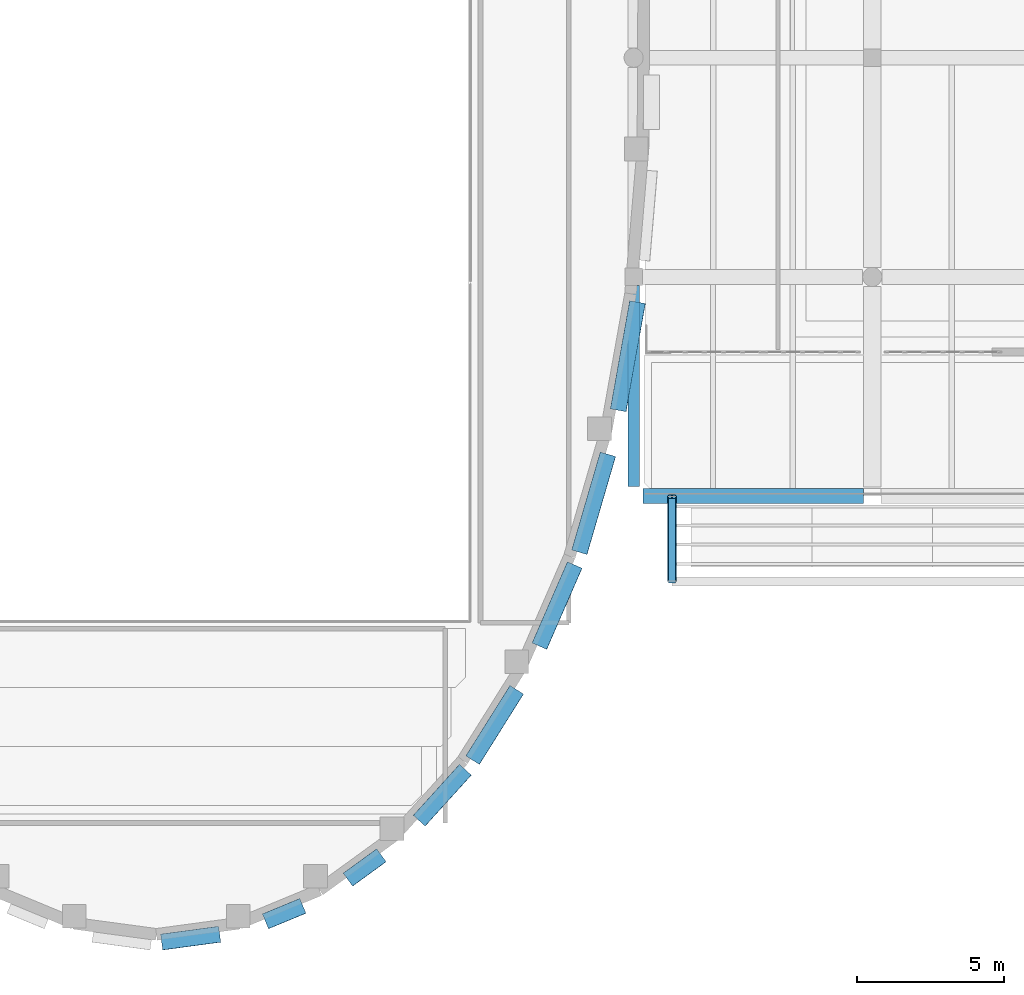
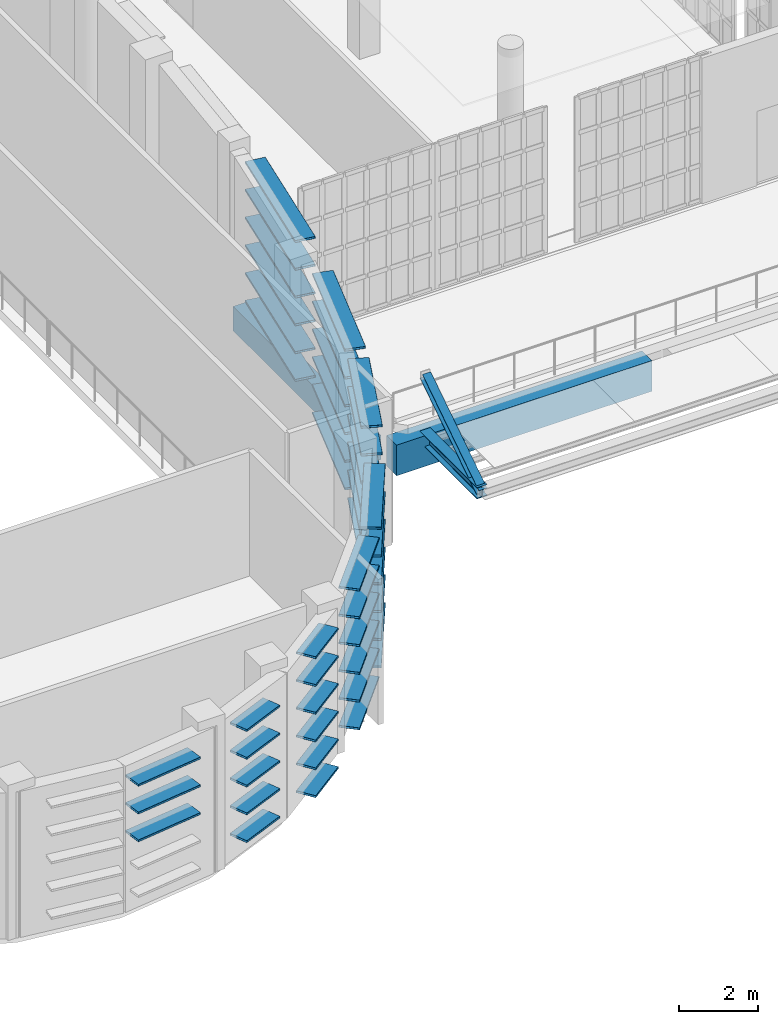
# One storey, part 10 of 104: 45 members, 3 beams.
"""IFC4 building model written with IfcOpenShell, lengths in metres."""

from ifc_helpers import new_model, si_unit, direction, frame, origin, origin_2d, place, context, subcontext, project, spatial, rectangle, hollow_rectangle, i_section, extrude, material, material_profile, profile_set, type_object, element, save


model = new_model("IFC4")

# Units and contexts
model_context = context("Model", 3, precision=1e-05, world=origin(), true_north=direction((0.0, 1.0)))
body_context = subcontext(model_context, "Body", "Model", "MODEL_VIEW")
ifc_project = project(units=[si_unit("LENGTHUNIT", "METRE"), si_unit("AREAUNIT", "SQUARE_METRE"), si_unit("VOLUMEUNIT", "CUBIC_METRE"), si_unit("PLANEANGLEUNIT", "RADIAN"), si_unit("MASSUNIT", "GRAM", prefix="KILO")], contexts=[model_context])

# Site, building, storey
site_placement = place(None, origin())
site = spatial("IfcSite", under=ifc_project, at=site_placement, CompositionType="ELEMENT")
building_placement = place(site_placement, origin())
building = spatial("IfcBuilding", under=site, at=building_placement, Name="Kaelora Sail Theatre", CompositionType="ELEMENT")
storey_placement = place(building_placement, frame((0.0, 0.0, 5.39990234375)))
storey = spatial("IfcBuildingStorey", under=building, at=storey_placement, Name="L01", CompositionType="ELEMENT", Elevation=5.39990234375)

# Members
ifc_material_1 = material(Name="Anodised aluminium 6063-T6", Category="aluminium")
ifc_material_profile_1 = material_profile(ifc_material_1, hollow_rectangle(XDim=0.550048828125, YDim=0.06494140625, WallThickness=0.00390625, InnerFilletRadius=0.00390625, OuterFilletRadius=0.008056640625, at=origin_2d()), Name="LOUVRE 550x65x4")
ifc_profile_set_1 = profile_set([ifc_material_profile_1], Name="Anodised aluminium 6063-T6")
member_type_1 = type_object("IfcMemberType", Name="ARC-MEM-LVR-300", PredefinedType="USERDEFINED", material=ifc_profile_set_1)
for number, where, z_axis, x_axis, name in (
    (1, (58.33056640625, 45.284423828125, 0.150146484375), (-0.175566335005, -0.984467603333, 0.0), (0.984467603333, -0.175566335005, 0.0), "Main Theatre Sail Drum horizontal solar louvre C4-06"),
    (2, (58.33056640625, 45.284423828125, 1.010009765625), (-0.175566335005, -0.984467603333, 0.0), (0.984467603333, -0.175566335005, 0.0), "Main Theatre Sail Drum horizontal solar louvre C4-07"),
    (3, (58.33056640625, 45.284423828125, 1.8701171875), (-0.175566335005, -0.984467603333, 0.0), (0.984467603333, -0.175566335005, 0.0), "Main Theatre Sail Drum horizontal solar louvre C4-08"),
    (4, (58.33056640625, 45.284423828125, 2.72998046875), (-0.175566335005, -0.984467603333, 0.0), (0.984467603333, -0.175566335005, 0.0), "Main Theatre Sail Drum horizontal solar louvre C4-09"),
    (5, (58.33056640625, 45.284423828125, 3.590087890625), (-0.175566335005, -0.984467603333, 0.0), (0.984467603333, -0.175566335005, 0.0), "Main Theatre Sail Drum horizontal solar louvre C4-10"),
    (6, (58.33056640625, 45.284423828125, 4.4501953125), (-0.175566335005, -0.984467603333, 0.0), (0.984467603333, -0.175566335005, 0.0), "Main Theatre Sail Drum horizontal solar louvre C4-11"),
):
    element("IfcMember", number, at=place(storey_placement, frame(where, z_axis=z_axis, x_axis=x_axis)), inside=storey, type_object=member_type_1, Name=name, ObjectType="LOUVRE", PredefinedType="USERDEFINED", context=body_context, shape_type="SweptSolid", body=[
        extrude(hollow_rectangle(XDim=0.550048828125, YDim=0.06494140625, WallThickness=0.00390625, InnerFilletRadius=0.00390625, OuterFilletRadius=0.008056640625, at=origin_2d()), origin(), (0.0, 0.0, 1.0), 3.7294921875),
    ])
for number, where, z_axis, x_axis, name in (
    (7, (57.326904296875, 40.119384765625, 0.150146484375), (-0.280281368484, -0.959917889447, 0.0), (0.959917889447, -0.280281368484, 0.0), "Main Theatre Sail Drum horizontal solar louvre C5-06"),
    (8, (57.326904296875, 40.119384765625, 1.010009765625), (-0.280281368484, -0.959917889447, 0.0), (0.959917889447, -0.280281368484, 0.0), "Main Theatre Sail Drum horizontal solar louvre C5-07"),
    (9, (57.326904296875, 40.119384765625, 1.8701171875), (-0.280281368484, -0.959917889447, 0.0), (0.959917889447, -0.280281368484, 0.0), "Main Theatre Sail Drum horizontal solar louvre C5-08"),
    (10, (57.326904296875, 40.119384765625, 2.72998046875), (-0.280281368484, -0.959917889447, 0.0), (0.959917889447, -0.280281368484, 0.0), "Main Theatre Sail Drum horizontal solar louvre C5-09"),
    (11, (57.326904296875, 40.119384765625, 3.590087890625), (-0.280281368484, -0.959917889447, 0.0), (0.959917889447, -0.280281368484, 0.0), "Main Theatre Sail Drum horizontal solar louvre C5-10"),
    (12, (57.326904296875, 40.119384765625, 4.4501953125), (-0.280281368484, -0.959917889447, 0.0), (0.959917889447, -0.280281368484, 0.0), "Main Theatre Sail Drum horizontal solar louvre C5-11"),
):
    element("IfcMember", number, at=place(storey_placement, frame(where, z_axis=z_axis, x_axis=x_axis)), inside=storey, type_object=member_type_1, Name=name, ObjectType="LOUVRE", PredefinedType="USERDEFINED", context=body_context, shape_type="SweptSolid", body=[
        extrude(hollow_rectangle(XDim=0.550048828125, YDim=0.06494140625, WallThickness=0.00390625, InnerFilletRadius=0.00390625, OuterFilletRadius=0.008056640625, at=origin_2d()), origin(), (0.0, 0.0, 1.0), 3.465087890625),
    ])
for number, where, z_axis, x_axis, name in (
    (13, (56.19970703125, 36.35986328125, 0.150146484375), (-0.399228207285, -0.91685159023, 0.0), (0.91685159023, -0.399228207285, 0.0), "Main Theatre Sail Drum horizontal solar louvre C6-06"),
    (14, (56.19970703125, 36.35986328125, 1.010009765625), (-0.399228207285, -0.91685159023, 0.0), (0.91685159023, -0.399228207285, 0.0), "Main Theatre Sail Drum horizontal solar louvre C6-07"),
    (15, (56.19970703125, 36.35986328125, 1.8701171875), (-0.399228207285, -0.91685159023, 0.0), (0.91685159023, -0.399228207285, 0.0), "Main Theatre Sail Drum horizontal solar louvre C6-08"),
    (16, (56.19970703125, 36.35986328125, 2.72998046875), (-0.399228207285, -0.91685159023, 0.0), (0.91685159023, -0.399228207285, 0.0), "Main Theatre Sail Drum horizontal solar louvre C6-09"),
    (17, (56.19970703125, 36.35986328125, 3.590087890625), (-0.399228207285, -0.91685159023, 0.0), (0.91685159023, -0.399228207285, 0.0), "Main Theatre Sail Drum horizontal solar louvre C6-10"),
    (18, (56.19970703125, 36.35986328125, 4.4501953125), (-0.399228207285, -0.91685159023, 0.0), (0.91685159023, -0.399228207285, 0.0), "Main Theatre Sail Drum horizontal solar louvre C6-11"),
):
    element("IfcMember", number, at=place(storey_placement, frame(where, z_axis=z_axis, x_axis=x_axis)), inside=storey, type_object=member_type_1, Name=name, ObjectType="LOUVRE", PredefinedType="USERDEFINED", context=body_context, shape_type="SweptSolid", body=[
        extrude(hollow_rectangle(XDim=0.550048828125, YDim=0.06494140625, WallThickness=0.00390625, InnerFilletRadius=0.00390625, OuterFilletRadius=0.008056640625, at=origin_2d()), origin(), (0.0, 0.0, 1.0), 3.00439453125),
    ])
for number, where, z_axis, x_axis, name in (
    (19, (54.230712890625, 32.12451171875, 0.150146484375), (-0.531266918629, -0.847204497846, 0.0), (0.847204497846, -0.531266918629, 0.0), "Main Theatre Sail Drum horizontal solar louvre C7-06"),
    (20, (54.230712890625, 32.12451171875, 1.010009765625), (-0.531266918629, -0.847204497846, 0.0), (0.847204497846, -0.531266918629, 0.0), "Main Theatre Sail Drum horizontal solar louvre C7-07"),
    (21, (54.230712890625, 32.12451171875, 1.8701171875), (-0.531266918629, -0.847204497846, 0.0), (0.847204497846, -0.531266918629, 0.0), "Main Theatre Sail Drum horizontal solar louvre C7-08"),
    (22, (54.230712890625, 32.12451171875, 2.72998046875), (-0.531266918629, -0.847204497846, 0.0), (0.847204497846, -0.531266918629, 0.0), "Main Theatre Sail Drum horizontal solar louvre C7-09"),
    (23, (54.230712890625, 32.12451171875, 3.590087890625), (-0.531266918629, -0.847204497846, 0.0), (0.847204497846, -0.531266918629, 0.0), "Main Theatre Sail Drum horizontal solar louvre C7-10"),
    (24, (54.230712890625, 32.12451171875, 4.4501953125), (-0.531266918629, -0.847204497846, 0.0), (0.847204497846, -0.531266918629, 0.0), "Main Theatre Sail Drum horizontal solar louvre C7-11"),
):
    element("IfcMember", number, at=place(storey_placement, frame(where, z_axis=z_axis, x_axis=x_axis)), inside=storey, type_object=member_type_1, Name=name, ObjectType="LOUVRE", PredefinedType="USERDEFINED", context=body_context, shape_type="SweptSolid", body=[
        extrude(hollow_rectangle(XDim=0.550048828125, YDim=0.06494140625, WallThickness=0.00390625, InnerFilletRadius=0.00390625, OuterFilletRadius=0.008056640625, at=origin_2d()), origin(), (0.0, 0.0, 1.0), 2.81982421875),
    ])
for number, where, z_axis, x_axis, name in (
    (25, (52.48779296875, 29.41015625, 0.150146484375), (-0.671589400994, -0.740923529437, 0.0), (0.740923529437, -0.671589400994, 0.0), "Main Theatre Sail Drum horizontal solar louvre C8-06"),
    (26, (52.48779296875, 29.41015625, 1.010009765625), (-0.671589400994, -0.740923529437, 0.0), (0.740923529437, -0.671589400994, 0.0), "Main Theatre Sail Drum horizontal solar louvre C8-07"),
    (27, (52.48779296875, 29.41015625, 1.8701171875), (-0.671589400994, -0.740923529437, 0.0), (0.740923529437, -0.671589400994, 0.0), "Main Theatre Sail Drum horizontal solar louvre C8-08"),
    (28, (52.48779296875, 29.41015625, 2.72998046875), (-0.671589400994, -0.740923529437, 0.0), (0.740923529437, -0.671589400994, 0.0), "Main Theatre Sail Drum horizontal solar louvre C8-09"),
    (29, (52.48779296875, 29.41015625, 3.590087890625), (-0.671589400994, -0.740923529437, 0.0), (0.740923529437, -0.671589400994, 0.0), "Main Theatre Sail Drum horizontal solar louvre C8-10"),
    (30, (52.48779296875, 29.41015625, 4.4501953125), (-0.671589400994, -0.740923529437, 0.0), (0.740923529437, -0.671589400994, 0.0), "Main Theatre Sail Drum horizontal solar louvre C8-11"),
):
    element("IfcMember", number, at=place(storey_placement, frame(where, z_axis=z_axis, x_axis=x_axis)), inside=storey, type_object=member_type_1, Name=name, ObjectType="LOUVRE", PredefinedType="USERDEFINED", context=body_context, shape_type="SweptSolid", body=[
        extrude(hollow_rectangle(XDim=0.550048828125, YDim=0.06494140625, WallThickness=0.00390625, InnerFilletRadius=0.00390625, OuterFilletRadius=0.008056640625, at=origin_2d()), origin(), (0.0, 0.0, 1.0), 2.33447265625),
    ])
for number, where, z_axis, x_axis, name in (
    (31, (49.636962890625, 26.50634765625, 0.150146484375), (-0.808991251883, -0.587820682162, 0.0), (0.587820682162, -0.808991251883, 0.0), "Main Theatre Sail Drum horizontal solar louvre C9-06"),
    (32, (49.636962890625, 26.50634765625, 1.010009765625), (-0.808991251883, -0.587820682162, 0.0), (0.587820682162, -0.808991251883, 0.0), "Main Theatre Sail Drum horizontal solar louvre C9-07"),
    (33, (49.636962890625, 26.50634765625, 1.8701171875), (-0.808991251883, -0.587820682162, 0.0), (0.587820682162, -0.808991251883, 0.0), "Main Theatre Sail Drum horizontal solar louvre C9-08"),
    (34, (49.636962890625, 26.50634765625, 2.72998046875), (-0.808991251883, -0.587820682162, 0.0), (0.587820682162, -0.808991251883, 0.0), "Main Theatre Sail Drum horizontal solar louvre C9-09"),
    (35, (49.636962890625, 26.50634765625, 3.590087890625), (-0.808991251883, -0.587820682162, 0.0), (0.587820682162, -0.808991251883, 0.0), "Main Theatre Sail Drum horizontal solar louvre C9-10"),
    (36, (49.636962890625, 26.50634765625, 4.4501953125), (-0.808991251883, -0.587820682162, 0.0), (0.587820682162, -0.808991251883, 0.0), "Main Theatre Sail Drum horizontal solar louvre C9-11"),
):
    element("IfcMember", number, at=place(storey_placement, frame(where, z_axis=z_axis, x_axis=x_axis)), inside=storey, type_object=member_type_1, Name=name, ObjectType="LOUVRE", PredefinedType="USERDEFINED", context=body_context, shape_type="SweptSolid", body=[
        extrude(hollow_rectangle(XDim=0.550048828125, YDim=0.06494140625, WallThickness=0.00390625, InnerFilletRadius=0.00390625, OuterFilletRadius=0.008056640625, at=origin_2d()), origin(), (0.0, 0.0, 1.0), 1.40625),
    ])
for number, where, z_axis, x_axis, name in (
    (37, (46.971435546875, 24.78955078125, 0.630126953125), (-0.923925927829, -0.382571404949, 0.0), (0.382571404949, -0.923925927829, 0.0), "Main Theatre Sail Drum horizontal solar louvre C10-04"),
    (38, (46.971435546875, 24.78955078125, 1.489990234375), (-0.923925927829, -0.382571404949, 0.0), (0.382571404949, -0.923925927829, 0.0), "Main Theatre Sail Drum horizontal solar louvre C10-05"),
    (39, (46.971435546875, 24.78955078125, 2.35009765625), (-0.923925927829, -0.382571404949, 0.0), (0.382571404949, -0.923925927829, 0.0), "Main Theatre Sail Drum horizontal solar louvre C10-06"),
    (40, (46.971435546875, 24.78955078125, 3.210205078125), (-0.923925927829, -0.382571404949, 0.0), (0.382571404949, -0.923925927829, 0.0), "Main Theatre Sail Drum horizontal solar louvre C10-07"),
    (41, (46.971435546875, 24.78955078125, 4.070068359375), (-0.923925927829, -0.382571404949, 0.0), (0.382571404949, -0.923925927829, 0.0), "Main Theatre Sail Drum horizontal solar louvre C10-08"),
):
    element("IfcMember", number, at=place(storey_placement, frame(where, z_axis=z_axis, x_axis=x_axis)), inside=storey, type_object=member_type_1, Name=name, ObjectType="LOUVRE", PredefinedType="USERDEFINED", context=body_context, shape_type="SweptSolid", body=[
        extrude(hollow_rectangle(XDim=0.550048828125, YDim=0.06494140625, WallThickness=0.00390625, InnerFilletRadius=0.00390625, OuterFilletRadius=0.008056640625, at=origin_2d()), origin(), (0.0, 0.0, 1.0), 1.37451171875),
    ])
for number, where, z_axis, x_axis, name in (
    (42, (44.1484375, 23.82666015625, 2.35009765625), (-0.991052229698, -0.133474634331, 0.0), (0.133474634331, -0.991052229698, 0.0), "Main Theatre Sail Drum horizontal solar louvre C11-06"),
    (43, (44.1484375, 23.82666015625, 3.210205078125), (-0.991052229698, -0.133474634331, 0.0), (0.133474634331, -0.991052229698, 0.0), "Main Theatre Sail Drum horizontal solar louvre C11-07"),
    (44, (44.1484375, 23.82666015625, 4.070068359375), (-0.991052229698, -0.133474634331, 0.0), (0.133474634331, -0.991052229698, 0.0), "Main Theatre Sail Drum horizontal solar louvre C11-08"),
):
    element("IfcMember", number, at=place(storey_placement, frame(where, z_axis=z_axis, x_axis=x_axis)), inside=storey, type_object=member_type_1, Name=name, ObjectType="LOUVRE", PredefinedType="USERDEFINED", context=body_context, shape_type="SweptSolid", body=[
        extrude(hollow_rectangle(XDim=0.550048828125, YDim=0.06494140625, WallThickness=0.00390625, InnerFilletRadius=0.00390625, OuterFilletRadius=0.008056640625, at=origin_2d()), origin(), (0.0, 0.0, 1.0), 1.98828125),
    ])

# Beams
ifc_material_2 = material(Name="Steel S355", Category="steel")
ifc_material_profile_2 = material_profile(ifc_material_2, i_section(OverallWidth=0.300048828125, OverallDepth=0.35009765625, WebThickness=0.010009765625, FlangeThickness=0.017578125, FilletRadius=0.027099609375, at=origin_2d()), Name="HEA 360")
ifc_profile_set_2 = profile_set([ifc_material_profile_2], Name="Steel S355")
beam_type_1 = type_object("IfcBeamType", Name="STR-BM-BM-HEA360", PredefinedType="USERDEFINED", material=ifc_profile_set_2)
beam_1_placement = place(storey_placement, frame((59.5, 35.800048828125, -0.469970703125), z_axis=(0.0, 1.0, 0.0), x_axis=(-1.0, 0.0, 0.0)))
element("IfcBeam", 45, at=beam_1_placement, inside=storey, type_object=beam_type_1, Name="Entrance canopy side girder W", ObjectType="GIRDER", PredefinedType="USERDEFINED", context=body_context, shape_type="SweptSolid", body=[
    extrude(i_section(OverallWidth=0.300048828125, OverallDepth=0.35009765625, WebThickness=0.010009765625, FlangeThickness=0.017578125, FilletRadius=0.027099609375, at=origin_2d()), origin(), (0.0, 0.0, 1.0), 2.89990234375),
])
ifc_material_3 = material(Name="Concrete C40/50", Category="concrete")
ifc_material_profile_3 = material_profile(ifc_material_3, rectangle(XDim=0.39990234375, YDim=0.75, at=origin_2d()), Name="RC-BM 400x750")
ifc_profile_set_3 = profile_set([ifc_material_profile_3], Name="Concrete C40/50")
beam_type_2 = type_object("IfcBeamType", Name="STR-BM-BM-RC4075", PredefinedType="BEAM", material=ifc_profile_set_3)
beam_2_placement = place(storey_placement, frame((58.199951171875, 39.02490234375, -0.669921875), z_axis=(0.0, 1.0, 0.0), x_axis=(-1.0, 0.0, 0.0)))
element("IfcBeam", 46, at=beam_2_placement, inside=storey, type_object=beam_type_2, Name="Primary beam 8 F-G (L01)", PredefinedType="BEAM", context=body_context, shape_type="SweptSolid", body=[
    extrude(rectangle(XDim=0.39990234375, YDim=0.75, at=origin_2d()), origin(), (0.0, 0.0, 1.0), 6.815185546875),
])
ifc_material_4 = material(Name="Concrete C45/55", Category="concrete")
ifc_material_profile_4 = material_profile(ifc_material_4, rectangle(XDim=0.5, YDim=0.949951171875, at=origin_2d()), Name="RC-GRD 500x950")
ifc_profile_set_4 = profile_set([ifc_material_profile_4], Name="Concrete C45/55")
beam_type_3 = type_object("IfcBeamType", Name="STR-BM-GR-RC5095", PredefinedType="T_BEAM", material=ifc_profile_set_4)
beam_3_placement = place(storey_placement, frame((58.52490234375, 38.699951171875, -0.77001953125), z_axis=(1.0, 0.0, 0.0), x_axis=(0.0, 1.0, 0.0)))
element("IfcBeam", 47, at=beam_3_placement, inside=storey, type_object=beam_type_3, Name="Primary beam F 8-9 (L01)", PredefinedType="T_BEAM", context=body_context, shape_type="SweptSolid", body=[
    extrude(rectangle(XDim=0.5, YDim=0.949951171875, at=origin_2d()), origin(), (0.0, 0.0, 1.0), 7.47509765625),
])

# Member
ifc_material_5 = material(Name="Steel S355", Category="steel")
ifc_material_profile_5 = material_profile(ifc_material_5, i_section(OverallWidth=0.239990234375, OverallDepth=0.22998046875, WebThickness=0.007568359375, FlangeThickness=0.011962890625, FilletRadius=0.02099609375, at=origin_2d()), Name="HEA 240")
ifc_profile_set_5 = profile_set([ifc_material_profile_5], Name="Steel S355")
member_type_2 = type_object("IfcMemberType", Name="STR-MEM-CN-HEA240", PredefinedType="STRUT", material=ifc_profile_set_5)
member_placement = place(storey_placement, frame((59.5, 38.679931640625, 1.400146484375), z_axis=(0.0, -0.836941922173, -0.547291712809), x_axis=(1.0, 0.0, 0.0)))
element("IfcMember", 48, at=member_placement, inside=storey, type_object=member_type_2, Name="Entrance canopy inclined hanger tie W", PredefinedType="STRUT", context=body_context, shape_type="SweptSolid", body=[
    extrude(i_section(OverallWidth=0.239990234375, OverallDepth=0.22998046875, WebThickness=0.007568359375, FlangeThickness=0.011962890625, FilletRadius=0.02099609375, at=origin_2d()), origin(), (0.0, 0.0, 1.0), 3.4169921875),
])

save(model, "model.ifc")
